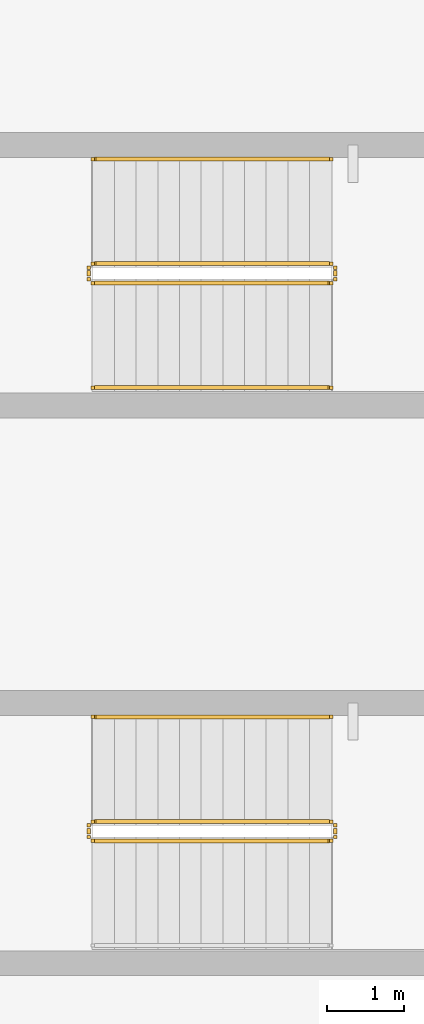
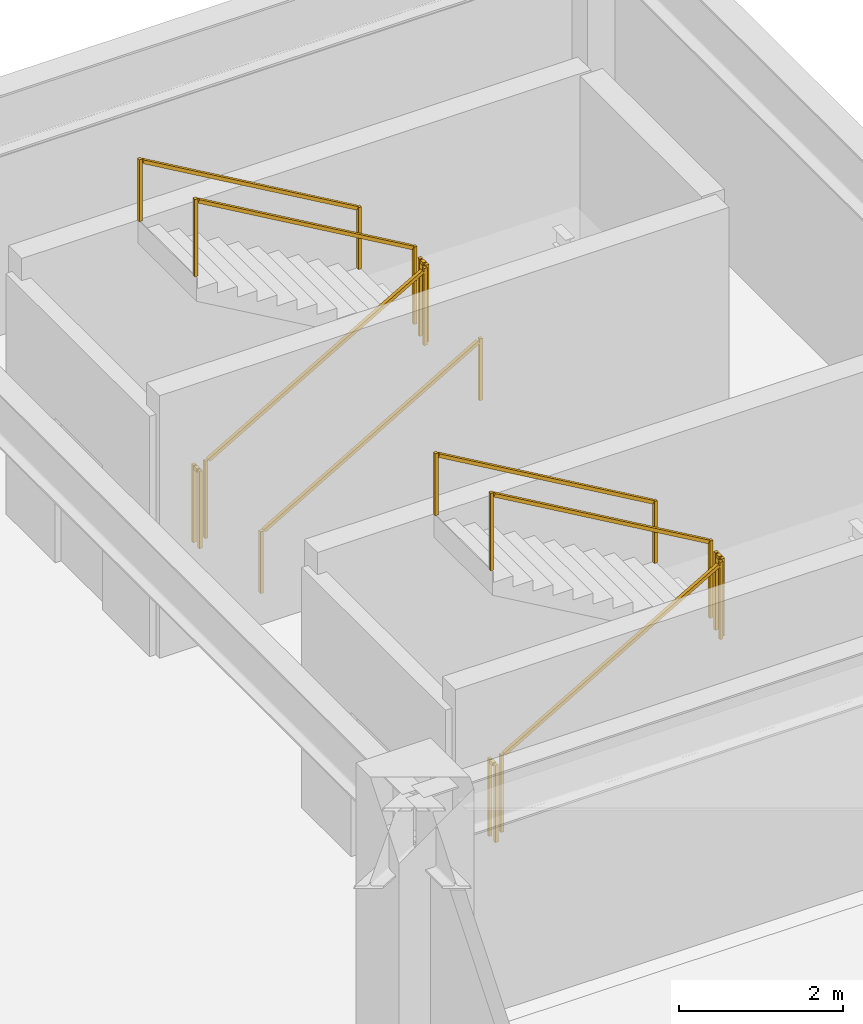
# One storey, part 15 of 15: 11 railings.
"""IFC4 building model written with IfcOpenShell, lengths in metres."""

from ifc_helpers import new_model, si_unit, direction, frame, origin, origin_2d, place, context, subcontext, project, spatial, rectangle, extrude, material, type_object, element, save


model = new_model("IFC4")

# Units and contexts
model_context = context("Model", 3, precision=1e-05, world=origin(), true_north=direction((0.0, 1.0)))
body_context = subcontext(model_context, "Body", "Model", "MODEL_VIEW")
ifc_project = project(units=[si_unit("LENGTHUNIT", "METRE"), si_unit("AREAUNIT", "SQUARE_METRE"), si_unit("VOLUMEUNIT", "CUBIC_METRE"), si_unit("PLANEANGLEUNIT", "RADIAN"), si_unit("MASSUNIT", "GRAM", prefix="KILO")], contexts=[model_context])

# Site, building, storey
site_placement = place(None, origin())
site = spatial("IfcSite", under=ifc_project, at=site_placement, CompositionType="ELEMENT")
building_placement = place(site_placement, origin())
building = spatial("IfcBuilding", under=site, at=building_placement, Name="Yunling Apex Tower", CompositionType="ELEMENT")
storey_placement = place(building_placement, frame((0.0, 0.0, 12.300048828125)))
storey = spatial("IfcBuildingStorey", under=building, at=storey_placement, Name="L04", CompositionType="ELEMENT", Elevation=12.300048828125)

# Railings
ifc_material_1 = material(Name="Steel Q355B", Category="steel")
railing_type_1 = type_object("IfcRailingType", Name="RL-GRD-1150", PredefinedType="GUARDRAIL", material=ifc_material_1)
railing_1_placement = place(storey_placement, frame((25.35009765625, 17.0, 0.162353515625)))
element("IfcRailing", 1, at=railing_1_placement, inside=storey, type_object=railing_type_1, Name="L04 ST-P2 stair guard 1", PredefinedType="GUARDRAIL", context=body_context, shape_type="SweptSolid", body=[
    extrude(rectangle(XDim=0.0439453125, YDim=0.0439453125, at=origin_2d()), origin(), (0.0, 0.0, 1.0), 1.14990234375),
    extrude(rectangle(XDim=0.0439453125, YDim=0.0439453125, at=origin_2d()), frame((3.079833984375, 0.0, 1.78759765625)), (0.0, 0.0, 1.0), 1.14990234375),
    extrude(rectangle(XDim=0.050048828125, YDim=0.050048828125, at=origin_2d()), frame((0.033203125, 0.0, 1.14404296875), z_axis=(0.864873446163, 0.0, 0.501989962173), x_axis=(0.0, 1.0, 0.0)), (0.0, 0.0, 1.0), 3.484375),
])
railing_2_placement = place(storey_placement, frame((28.47998046875, 17.050048828125, 1.949951171875)))
element("IfcRailing", 2, at=railing_2_placement, inside=storey, type_object=railing_type_1, Name="L04 ST-P2 stair guard 2", PredefinedType="GUARDRAIL", context=body_context, shape_type="SweptSolid", body=[
    extrude(rectangle(XDim=0.0439453125, YDim=0.0439453125, at=origin_2d()), origin(), (0.0, 0.0, 1.0), 1.14990234375),
    extrude(rectangle(XDim=0.0439453125, YDim=0.0439453125, at=origin_2d()), frame((0.0, 0.14990234375, 0.0)), (0.0, 0.0, 1.0), 1.14990234375),
    extrude(rectangle(XDim=0.050048828125, YDim=0.050048828125, at=origin_2d()), frame((0.0, 0.038330078125, 1.125), z_axis=(0.0, 1.0, 0.0), x_axis=(-1.0, 0.0, 0.0)), (0.0, 0.0, 1.0), 0.0732421875),
])
railing_3_placement = place(storey_placement, frame((28.429931640625, 17.25, 2.112548828125)))
element("IfcRailing", 3, at=railing_3_placement, inside=storey, type_object=railing_type_1, Name="L04 ST-P2 stair guard 3", PredefinedType="GUARDRAIL", context=body_context, shape_type="SweptSolid", body=[
    extrude(rectangle(XDim=0.0439453125, YDim=0.0439453125, at=origin_2d()), origin(), (0.0, 0.0, 1.0), 1.14990234375),
    extrude(rectangle(XDim=0.0439453125, YDim=0.0439453125, at=origin_2d()), frame((-3.079833984375, 0.0, 1.787353515625)), (0.0, 0.0, 1.0), 1.14990234375),
    extrude(rectangle(XDim=0.050048828125, YDim=0.050048828125, at=origin_2d()), frame((-0.033203125, 0.0, 1.14404296875), z_axis=(-0.864903211148, 0.0, 0.501938676878), x_axis=(0.0, -1.0, 0.0)), (0.0, 0.0, 1.0), 3.484130859375),
])
railing_4_placement = place(storey_placement, frame((25.300048828125, 17.050048828125, 0.0)))
element("IfcRailing", 4, at=railing_4_placement, inside=storey, type_object=railing_type_1, Name="L04 ST-P2 stair guard 4", PredefinedType="GUARDRAIL", context=body_context, shape_type="SweptSolid", body=[
    extrude(rectangle(XDim=0.0439453125, YDim=0.0439453125, at=origin_2d()), origin(), (0.0, 0.0, 1.0), 1.14990234375),
    extrude(rectangle(XDim=0.0439453125, YDim=0.0439453125, at=origin_2d()), frame((0.0, 0.14990234375, 0.0)), (0.0, 0.0, 1.0), 1.14990234375),
    extrude(rectangle(XDim=0.050048828125, YDim=0.050048828125, at=origin_2d()), frame((0.0, 0.038330078125, 1.125), z_axis=(0.0, 1.0, 0.0), x_axis=(-1.0, 0.0, 0.0)), (0.0, 0.0, 1.0), 0.0732421875),
])
railing_5_placement = place(storey_placement, frame((25.35009765625, 24.199951171875, 0.162353515625)))
element("IfcRailing", 5, at=railing_5_placement, inside=storey, type_object=railing_type_1, Name="L04 ST-G2 stair guard 1", PredefinedType="GUARDRAIL", context=body_context, shape_type="SweptSolid", body=[
    extrude(rectangle(XDim=0.0439453125, YDim=0.0439453125, at=origin_2d()), origin(), (0.0, 0.0, 1.0), 1.14990234375),
    extrude(rectangle(XDim=0.0439453125, YDim=0.0439453125, at=origin_2d()), frame((3.079833984375, 0.0, 1.78759765625)), (0.0, 0.0, 1.0), 1.14990234375),
    extrude(rectangle(XDim=0.050048828125, YDim=0.050048828125, at=origin_2d()), frame((0.033203125, 0.0, 1.14404296875), z_axis=(0.864873446163, 0.0, 0.501989962173), x_axis=(0.0, 1.0, 0.0)), (0.0, 0.0, 1.0), 3.484375),
])
railing_6_placement = place(storey_placement, frame((28.47998046875, 24.25, 1.949951171875)))
element("IfcRailing", 6, at=railing_6_placement, inside=storey, type_object=railing_type_1, Name="L04 ST-G2 stair guard 2", PredefinedType="GUARDRAIL", context=body_context, shape_type="SweptSolid", body=[
    extrude(rectangle(XDim=0.0439453125, YDim=0.0439453125, at=origin_2d()), origin(), (0.0, 0.0, 1.0), 1.14990234375),
    extrude(rectangle(XDim=0.0439453125, YDim=0.0439453125, at=origin_2d()), frame((0.0, 0.14990234375, 0.0)), (0.0, 0.0, 1.0), 1.14990234375),
    extrude(rectangle(XDim=0.050048828125, YDim=0.050048828125, at=origin_2d()), frame((0.0, 0.038330078125, 1.125), z_axis=(0.0, 1.0, 0.0), x_axis=(-1.0, 0.0, 0.0)), (0.0, 0.0, 1.0), 0.0732421875),
])
railing_7_placement = place(storey_placement, frame((28.429931640625, 24.449951171875, 2.112548828125)))
element("IfcRailing", 7, at=railing_7_placement, inside=storey, type_object=railing_type_1, Name="L04 ST-G2 stair guard 3", PredefinedType="GUARDRAIL", context=body_context, shape_type="SweptSolid", body=[
    extrude(rectangle(XDim=0.0439453125, YDim=0.0439453125, at=origin_2d()), origin(), (0.0, 0.0, 1.0), 1.14990234375),
    extrude(rectangle(XDim=0.0439453125, YDim=0.0439453125, at=origin_2d()), frame((-3.079833984375, 0.0, 1.787353515625)), (0.0, 0.0, 1.0), 1.14990234375),
    extrude(rectangle(XDim=0.050048828125, YDim=0.050048828125, at=origin_2d()), frame((-0.033203125, 0.0, 1.14404296875), z_axis=(-0.864903211148, 0.0, 0.501938676878), x_axis=(0.0, -1.0, 0.0)), (0.0, 0.0, 1.0), 3.484130859375),
])
railing_8_placement = place(storey_placement, frame((25.300048828125, 24.25, 0.0)))
element("IfcRailing", 8, at=railing_8_placement, inside=storey, type_object=railing_type_1, Name="L04 ST-G2 stair guard 4", PredefinedType="GUARDRAIL", context=body_context, shape_type="SweptSolid", body=[
    extrude(rectangle(XDim=0.0439453125, YDim=0.0439453125, at=origin_2d()), origin(), (0.0, 0.0, 1.0), 1.14990234375),
    extrude(rectangle(XDim=0.0439453125, YDim=0.0439453125, at=origin_2d()), frame((0.0, 0.14990234375, 0.0)), (0.0, 0.0, 1.0), 1.14990234375),
    extrude(rectangle(XDim=0.050048828125, YDim=0.050048828125, at=origin_2d()), frame((0.0, 0.038330078125, 1.125), z_axis=(0.0, 1.0, 0.0), x_axis=(-1.0, 0.0, 0.0)), (0.0, 0.0, 1.0), 0.0732421875),
])
ifc_material_2 = material(Name="Silver anodised aluminium", Category="aluminium")
railing_type_2 = type_object("IfcRailingType", Name="RL-HND-900", PredefinedType="HANDRAIL", material=ifc_material_2)
railing_9_placement = place(storey_placement, frame((28.429931640625, 18.60009765625, 2.112548828125)))
element("IfcRailing", 9, at=railing_9_placement, inside=storey, type_object=railing_type_2, Name="L04 ST-P2 stair handrail 2", PredefinedType="HANDRAIL", context=body_context, shape_type="SweptSolid", body=[
    extrude(rectangle(XDim=0.0439453125, YDim=0.0439453125, at=origin_2d()), origin(), (0.0, 0.0, 1.0), 0.919921875),
    extrude(rectangle(XDim=0.0439453125, YDim=0.0439453125, at=origin_2d()), frame((-3.079833984375, 0.0, 1.787353515625)), (0.0, 0.0, 1.0), 0.919921875),
    extrude(rectangle(XDim=0.050048828125, YDim=0.050048828125, at=origin_2d()), frame((-0.033203125, 0.0, 0.9140625), z_axis=(-0.864903211148, 0.0, 0.501938676878), x_axis=(0.0, -1.0, 0.0)), (0.0, 0.0, 1.0), 3.484130859375),
])
railing_10_placement = place(storey_placement, frame((25.35009765625, 22.85009765625, 0.162353515625)))
element("IfcRailing", 10, at=railing_10_placement, inside=storey, type_object=railing_type_2, Name="L04 ST-G2 stair handrail 1", PredefinedType="HANDRAIL", context=body_context, shape_type="SweptSolid", body=[
    extrude(rectangle(XDim=0.0439453125, YDim=0.0439453125, at=origin_2d()), origin(), (0.0, 0.0, 1.0), 0.919921875),
    extrude(rectangle(XDim=0.0439453125, YDim=0.0439453125, at=origin_2d()), frame((3.079833984375, 0.0, 1.78759765625)), (0.0, 0.0, 1.0), 0.919921875),
    extrude(rectangle(XDim=0.050048828125, YDim=0.050048828125, at=origin_2d()), frame((0.033203125, 0.0, 0.9140625), z_axis=(0.864873446163, 0.0, 0.501989962173), x_axis=(0.0, 1.0, 0.0)), (0.0, 0.0, 1.0), 3.484375),
])
railing_11_placement = place(storey_placement, frame((28.429931640625, 25.800048828125, 2.112548828125)))
element("IfcRailing", 11, at=railing_11_placement, inside=storey, type_object=railing_type_2, Name="L04 ST-G2 stair handrail 2", PredefinedType="HANDRAIL", context=body_context, shape_type="SweptSolid", body=[
    extrude(rectangle(XDim=0.0439453125, YDim=0.0439453125, at=origin_2d()), origin(), (0.0, 0.0, 1.0), 0.919921875),
    extrude(rectangle(XDim=0.0439453125, YDim=0.0439453125, at=origin_2d()), frame((-3.079833984375, 0.0, 1.787353515625)), (0.0, 0.0, 1.0), 0.919921875),
    extrude(rectangle(XDim=0.050048828125, YDim=0.050048828125, at=origin_2d()), frame((-0.033203125, 0.0, 0.9140625), z_axis=(-0.864903211148, 0.0, 0.501938676878), x_axis=(0.0, -1.0, 0.0)), (0.0, 0.0, 1.0), 3.484130859375),
])

save(model, "model.ifc")
